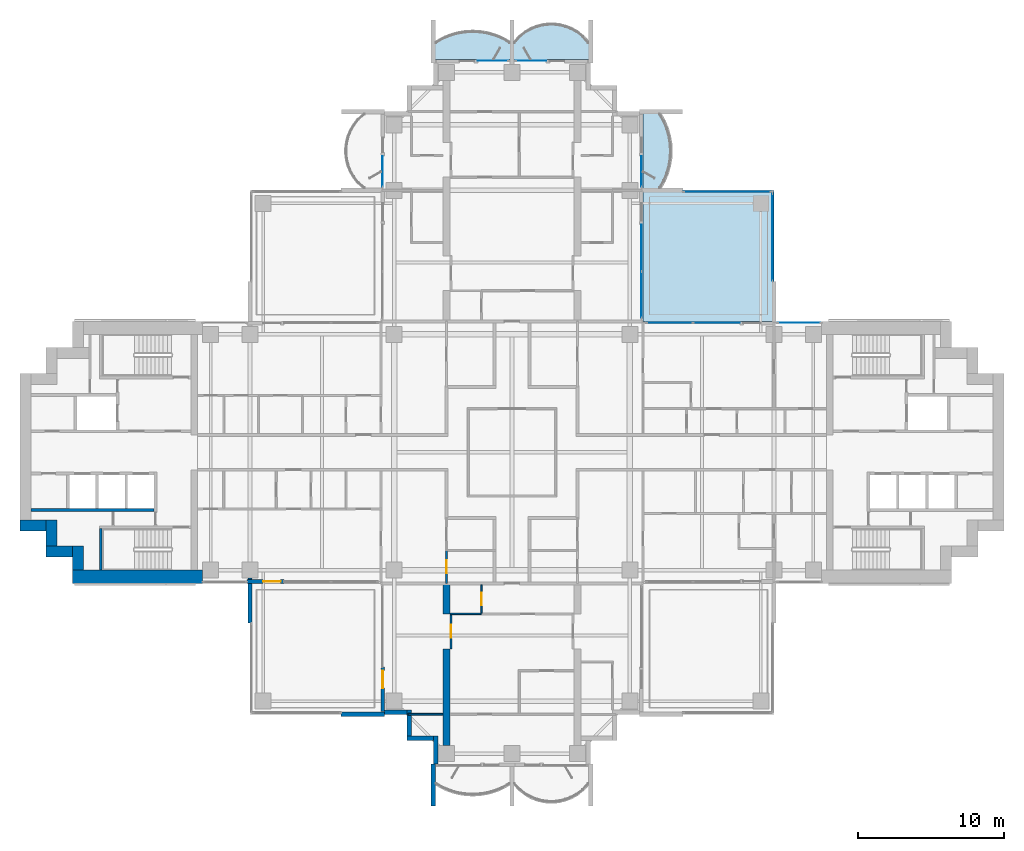
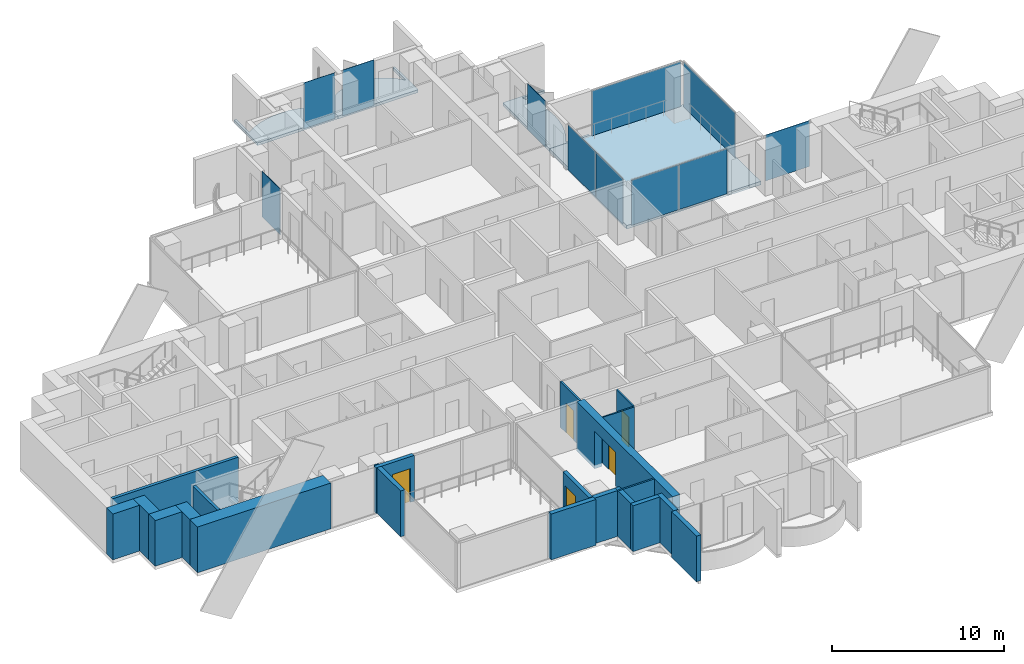
# One storey, part 8 of 19: 22 walls, 11 plates, 5 doors, 4 slabs, 5 openings, 9 elements without a shape of their own.
"""IFC4 building model written with IfcOpenShell, lengths in metres."""

import ifcopenshell
import ifcopenshell.guid

model = None  # the IFC model being written
_history = None  # IfcOwnerHistory: only IFC2X3 demands one
_inside = {}  # id of a spatial element -> (the spatial element, [elements in it])
_under = {}  # id of a project, library or spatial element -> (it, [spatial elements below it])
_declared = {}  # id of a project -> (the project, [libraries it declares])
_typed = {}  # id of a type object -> (the type object, [elements of that type])
_made_of = {}  # id of a material, layer set ... -> (it, [elements and type objects made of it])


def new_model(schema):
    """Start an empty IFC model of exactly this schema.

    Asked for "IFC4X3", IfcOpenShell would pick the latest addendum, in which some entities
    have other attributes; the version numbers below select the first issue.
    IFC2X3 requires an IfcOwnerHistory on every rooted entity: one is made here for all.
    """
    global model, _history
    if schema == "IFC4X3":
        model = ifcopenshell.file(schema_version=(4, 3, 0, 0))
    else:
        model = ifcopenshell.file(schema=schema)
    _inside.clear()
    _under.clear()
    _declared.clear()
    _typed.clear()
    _made_of.clear()
    _history = None
    if model.schema == "IFC2X3":
        org = make("IfcOrganization", Name="unknown")
        user = make(
            "IfcPersonAndOrganization",
            ThePerson=make("IfcPerson", FamilyName="unknown"),
            TheOrganization=org,
        )
        app = make(
            "IfcApplication",
            ApplicationDeveloper=org,
            Version="unknown",
            ApplicationFullName="unknown",
            ApplicationIdentifier="unknown",
        )
        _history = make(
            "IfcOwnerHistory",
            OwningUser=user,
            OwningApplication=app,
            ChangeAction="ADDED",
            CreationDate=0,
        )
    return model


def make(cls, **values):
    """One entity of the class cls with the attributes given. An attribute that is None is left unset."""
    return model.create_entity(
        cls, **{name: value for name, value in values.items() if value is not None}
    )


def rooted(cls, **values):
    """An entity with a GlobalId (a new one), such as an element, a storey or a relation."""
    return make(cls, GlobalId=ifcopenshell.guid.new(), OwnerHistory=_history, **values)


def si_unit(unit_type, name, prefix=None):
    """IfcSIUnit, for example si_unit("LENGTHUNIT", "METRE", prefix="MILLI")."""
    return make("IfcSIUnit", UnitType=unit_type, Prefix=prefix, Name=name)


def assignment(units):
    """IfcUnitAssignment: the units of a project."""
    return None if units is None else make("IfcUnitAssignment", Units=units)


def point(xyz):
    """IfcCartesianPoint."""
    return None if xyz is None else make("IfcCartesianPoint", Coordinates=xyz)


def direction(xyz):
    """IfcDirection."""
    return None if xyz is None else make("IfcDirection", DirectionRatios=xyz)


def frame(location, z_axis=None, x_axis=None):
    """IfcAxis2Placement3D, a coordinate frame: its origin and axes. An axis left out is left unset."""
    return make(
        "IfcAxis2Placement3D",
        Location=point(location),
        Axis=direction(z_axis),
        RefDirection=direction(x_axis),
    )


def frame_2d(location, x_axis=None):
    """IfcAxis2Placement2D, a coordinate frame in the plane: its origin and x axis."""
    return make(
        "IfcAxis2Placement2D", Location=point(location), RefDirection=direction(x_axis)
    )


def origin():
    """The frame at (0, 0, 0) with its axes left unset."""
    return frame((0.0, 0.0, 0.0))


def origin_2d():
    """The frame at (0, 0) in the plane with its x axis left unset."""
    return frame_2d((0.0, 0.0))


def place(relative_to, where):
    """IfcLocalPlacement: puts the frame where relative to a parent placement (None: the world)."""
    return make(
        "IfcLocalPlacement", PlacementRelTo=relative_to, RelativePlacement=where
    )


def context(
    kind, dimensions, precision=None, world=None, true_north=None, identifier=None
):
    """IfcGeometricRepresentationContext, for example the 3D "Model" context."""
    return make(
        "IfcGeometricRepresentationContext",
        ContextIdentifier=identifier,
        ContextType=kind,
        CoordinateSpaceDimension=dimensions,
        Precision=precision,
        WorldCoordinateSystem=world,
        TrueNorth=true_north,
    )


def subcontext(parent, identifier, kind, view, scale=None):
    """IfcGeometricRepresentationSubContext, for example "Body" below "Model"."""
    return make(
        "IfcGeometricRepresentationSubContext",
        ContextIdentifier=identifier,
        ContextType=kind,
        ParentContext=parent,
        TargetScale=scale,
        TargetView=view,
    )


def project(units=None, contexts=None):
    """IfcProject with its units and contexts."""
    return rooted(
        "IfcProject",
        Name="project",
        RepresentationContexts=contexts,
        UnitsInContext=assignment(units),
    )


def spatial(cls, under=None, at=None, **own):
    """A site, building, storey or space (cls), placed at a placement, below another one or the project."""
    s = rooted(cls, ObjectPlacement=at, **own)
    if under is not None:
        _under.setdefault(under.id(), (under, []))[1].append(s)
    return s


def polyline(points):
    """IfcPolyline through the points."""
    return make("IfcPolyline", Points=[point(p) for p in points])


def profile(cls, at=None, kind="AREA", **sizes):
    """A parametric profile (cls). Its sizes go by their IFC names, for example OverallWidth=200.0."""
    return make(cls, ProfileType=kind, Position=at, **sizes)


def rectangle(**sizes):
    """IfcRectangleProfileDef."""
    return profile("IfcRectangleProfileDef", **sizes)


def outline(outer, holes=None, kind="AREA"):
    """IfcArbitraryClosedProfileDef: a profile drawn as a closed curve; with holes, ...WithVoids."""
    if holes is None:
        return make("IfcArbitraryClosedProfileDef", ProfileType=kind, OuterCurve=outer)
    return make(
        "IfcArbitraryProfileDefWithVoids",
        ProfileType=kind,
        OuterCurve=outer,
        InnerCurves=holes,
    )


def extrude(swept, where, along, depth):
    """IfcExtrudedAreaSolid: the profile swept, set in the frame where, extruded along a direction by depth."""
    return make(
        "IfcExtrudedAreaSolid",
        SweptArea=swept,
        Position=where,
        ExtrudedDirection=direction(along),
        Depth=depth,
    )


def shape(context_of_items, identifier, shape_type, items):
    """IfcShapeRepresentation: the items that make up one representation, for example the "Body"."""
    return make(
        "IfcShapeRepresentation",
        ContextOfItems=context_of_items,
        RepresentationIdentifier=identifier,
        RepresentationType=shape_type,
        Items=items,
    )


def material(Name=None, Category=None):
    """IfcMaterial."""
    return make("IfcMaterial", Name=Name, Category=Category)


def layer(
    of_material, thickness, ventilated=None, Name=None, Category=None, Priority=None
):
    """IfcMaterialLayer: one layer of a wall or slab, of a material (None: an air gap)."""
    return make(
        "IfcMaterialLayer",
        Material=of_material,
        LayerThickness=thickness,
        IsVentilated=ventilated,
        Name=Name,
        Category=Category,
        Priority=Priority,
    )


def layer_set(layers, Name=None):
    """IfcMaterialLayerSet."""
    return make("IfcMaterialLayerSet", MaterialLayers=layers, LayerSetName=Name)


def material_profile(
    of_material, cross_section, Name=None, Category=None, Priority=None
):
    """IfcMaterialProfile: a cross section and its material."""
    return make(
        "IfcMaterialProfile",
        Name=Name,
        Material=of_material,
        Profile=cross_section,
        Priority=Priority,
        Category=Category,
    )


def profile_set(profiles, Name=None, composite=None):
    """IfcMaterialProfileSet."""
    return make(
        "IfcMaterialProfileSet",
        Name=Name,
        MaterialProfiles=profiles,
        CompositeProfile=composite,
    )


def made_of(thing, what):
    """Note that an element or type object is made of a material, layer set ...; save() writes the relation."""
    if what is not None:
        _made_of.setdefault(what.id(), (what, []))[1].append(thing)
    return thing


def type_object(cls, material=None, **own):
    """A type object (cls), such as IfcWallType, which elements share."""
    return made_of(rooted(cls, **own), material)


def element(
    cls,
    number,
    at=None,
    inside=None,
    cuts=None,
    type_object=None,
    material=None,
    context=None,
    identifier="Body",
    shape_type=None,
    held_by="IfcProductDefinitionShape",
    body=None,
    shapes=None,
    **own,
):
    """One element of the class cls, such as IfcWall. Its Tag is "e" and its number.

    at: its placement. inside: the storey or other place that contains it. cuts: it is an
    opening in that element (IfcRelVoidsElement). A single representation is given by context,
    identifier, shape_type and body (its items); several are given by shapes. held_by: the class
    of the entity that holds the representations. save() writes the other relations.
    """
    e = rooted(cls, Tag="e%d" % number, ObjectPlacement=at, **own)
    if body is not None:
        shapes = [shape(context, identifier, shape_type, body)]
    if shapes is not None:
        e.Representation = make(held_by, Representations=shapes)
    if inside is not None:
        _inside.setdefault(inside.id(), (inside, []))[1].append(e)
    if cuts is not None:
        rooted(
            "IfcRelVoidsElement", RelatingBuildingElement=cuts, RelatedOpeningElement=e
        )
    if type_object is not None:
        _typed.setdefault(type_object.id(), (type_object, []))[1].append(e)
    return made_of(e, material)


def fill(opening, filler):
    """IfcRelFillsElement: the door or window that sits in an opening."""
    return rooted(
        "IfcRelFillsElement",
        RelatingOpeningElement=opening,
        RelatedBuildingElement=filler,
    )


def aggregate(whole, parts):
    """IfcRelAggregates: a whole, such as a stair, and the parts it consists of."""
    return rooted("IfcRelAggregates", RelatingObject=whole, RelatedObjects=parts)


def save(model, path):
    """Write the relations noted so far, then the file.

    IfcRelAggregates (storeys below a building ...), IfcRelContainedInSpatialStructure (elements
    in a storey), IfcRelDefinesByType, IfcRelAssociatesMaterial and IfcRelDeclares: one each for
    every whole, place, type object, material and project.
    """
    for whole, parts in _under.values():
        aggregate(whole, parts)
    for where, things in _inside.values():
        rooted(
            "IfcRelContainedInSpatialStructure",
            RelatedElements=things,
            RelatingStructure=where,
        )
    for kind, things in _typed.values():
        rooted("IfcRelDefinesByType", RelatedObjects=things, RelatingType=kind)
    for what, things in _made_of.values():
        rooted("IfcRelAssociatesMaterial", RelatedObjects=things, RelatingMaterial=what)
    for by, libraries in _declared.values():
        rooted("IfcRelDeclares", RelatingContext=by, RelatedDefinitions=libraries)
    model.write(path)


model = new_model("IFC4")

# Units and contexts
model_context = context("Model", 3, precision=1e-05, world=origin(), true_north=direction((0.0, 1.0)))
body_context = subcontext(model_context, "Body", "Model", "MODEL_VIEW")
ifc_project = project(units=[si_unit("LENGTHUNIT", "METRE"), si_unit("AREAUNIT", "SQUARE_METRE"), si_unit("VOLUMEUNIT", "CUBIC_METRE"), si_unit("PLANEANGLEUNIT", "RADIAN"), si_unit("MASSUNIT", "GRAM", prefix="KILO")], contexts=[model_context])

# Site, building, storey
site_placement = place(None, origin())
site = spatial("IfcSite", under=ifc_project, at=site_placement, CompositionType="ELEMENT")
building_placement = place(site_placement, origin())
building = spatial("IfcBuilding", under=site, at=building_placement, Name="Perihelion Cross Residences", CompositionType="ELEMENT")
storey_placement = place(building_placement, frame((0.0, 0.0, 147.89990234375)))
storey = spatial("IfcBuildingStorey", under=building, at=storey_placement, Name="L36", CompositionType="ELEMENT", Elevation=147.89990234375)

# Slabs
ifc_material_1 = material(Name="Concrete C40/50", Category="concrete")
ifc_layer_1 = layer(ifc_material_1, 0.199951171875)
ifc_layer_set_1 = layer_set([ifc_layer_1], Name="Balcony slab 200")
slab_type_1 = type_object("IfcSlabType", Name="Balcony slab 200", PredefinedType="FLOOR", material=ifc_layer_set_1)
slab_1_placement = place(storey_placement, frame((0.0, 0.0, -0.199951171875)))
element("IfcSlab", 1, at=slab_1_placement, inside=storey, type_object=slab_type_1, Name="Slab BK1 L36 north side east bay 2 balcony", PredefinedType="FLOOR", context=body_context, shape_type="SweptSolid", body=[
    extrude(outline(polyline([(9.0, 18.0), (9.0, 23.39990234375), (11.699951171875, 23.39990234375), (11.699951171875, 23.25), (10.199951171875, 23.25), (10.4853515625, 22.739990234375), (10.694580078125, 22.22998046875), (10.838134765625, 21.719970703125), (10.92236328125, 21.2099609375), (10.949951171875, 20.699951171875), (10.92236328125, 20.18994140625), (10.838134765625, 19.679931640625), (10.694580078125, 19.169921875), (10.4853515625, 18.659912109375), (10.199951171875, 18.14990234375), (11.699951171875, 18.14990234375), (11.699951171875, 18.0), (9.0, 18.0)])), origin(), (0.0, 0.0, 1.0), 0.199951171875),
])
slab_2_placement = place(storey_placement, frame((0.0, 0.0, -0.199951171875)))
element("IfcSlab", 2, at=slab_2_placement, inside=storey, type_object=slab_type_1, Name="Slab BK1 L36 north tip north bay 1 balcony", PredefinedType="FLOOR", context=body_context, shape_type="SweptSolid", body=[
    extrude(outline(polyline([(5.39990234375, 27.0), (0.0, 27.0), (0.0, 29.699951171875), (0.14990234375, 29.699951171875), (0.14990234375, 28.199951171875), (0.542236328125, 28.622314453125), (0.9345703125, 28.924072265625), (1.326904296875, 29.143310546875), (1.71923828125, 29.29736328125), (2.111572265625, 29.39599609375), (2.50390625, 29.444091796875), (2.896240234375, 29.444091796875), (3.28857421875, 29.39599609375), (3.6806640625, 29.29736328125), (4.072998046875, 29.143310546875), (4.46533203125, 28.924072265625), (4.857666015625, 28.622314453125), (5.25, 28.199951171875), (5.25, 29.699951171875), (5.39990234375, 29.699951171875), (5.39990234375, 27.0)])), origin(), (0.0, 0.0, 1.0), 0.199951171875),
])
slab_3_placement = place(storey_placement, frame((0.0, 0.0, -0.199951171875)))
element("IfcSlab", 3, at=slab_3_placement, inside=storey, type_object=slab_type_1, Name="Slab BK1 L36 north tip north bay 2 balcony", PredefinedType="FLOOR", context=body_context, shape_type="SweptSolid", body=[
    extrude(outline(polyline([(0.0, 27.0), (-5.39990234375, 27.0), (-5.39990234375, 29.699951171875), (-5.25, 29.699951171875), (-5.25, 28.199951171875), (-4.739990234375, 28.4853515625), (-4.22998046875, 28.694580078125), (-3.719970703125, 28.838134765625), (-3.2099609375, 28.92236328125), (-2.699951171875, 28.949951171875), (-2.18994140625, 28.92236328125), (-1.679931640625, 28.838134765625), (-1.169921875, 28.694580078125), (-0.659912109375, 28.4853515625), (-0.14990234375, 28.199951171875), (-0.14990234375, 29.699951171875), (0.0, 29.699951171875), (0.0, 27.0)])), origin(), (0.0, 0.0, 1.0), 0.199951171875),
])

# Curtain wall, plate
ifc_material_2 = material(Name="Bronze anodised aluminium, tinted glazing", Category="aluminium")
curtain_wall_type_1 = type_object("IfcCurtainWallType", Name="CW1", PredefinedType="NOTDEFINED", material=ifc_material_2)
curtain_wall_1_placement = place(storey_placement, origin())
curtain_wall_1 = element("IfcCurtainWall", 4, at=curtain_wall_1_placement, inside=storey, type_object=curtain_wall_type_1, Name="Curtain wall CW1 L36 east side north bay 1", PredefinedType="NOTDEFINED")
ifc_material_3 = material(Name="Tinted laminated glass", Category="glass")
ifc_layer_2 = layer(ifc_material_3, 0.028076171875)
ifc_layer_set_2 = layer_set([ifc_layer_2], Name="CW1 panel")
plate_type_1 = type_object("IfcPlateType", Name="CW1 panel", PredefinedType="CURTAIN_PANEL", material=ifc_layer_set_2)
plate_1_placement = place(storey_placement, frame((19.72509765625, 8.89990234375, 0.0), z_axis=(0.0, 0.0, 1.0), x_axis=(-1.0, 0.0, 0.0)))
plate_1 = element("IfcPlate", 5, at=plate_1_placement, type_object=plate_type_1, Name="CW1 panel 1", PredefinedType="CURTAIN_PANEL", context=body_context, shape_type="SweptSolid", body=[
    extrude(rectangle(XDim=2.929931640625, YDim=0.028076171875, at=origin_2d()), origin(), (0.0, 0.0, 1.0), 3.25),
])
aggregate(curtain_wall_1, [plate_1])

# Curtain wall, plates
curtain_wall_2_placement = place(storey_placement, origin())
curtain_wall_2 = element("IfcCurtainWall", 6, at=curtain_wall_2_placement, inside=storey, type_object=curtain_wall_type_1, Name="Curtain wall CW1 L36 east side north bay 2", PredefinedType="NOTDEFINED")
plate_2_placement = place(storey_placement, frame((14.052490234375, 8.89990234375, 0.000244140625), z_axis=(0.0, 0.0, 1.0), x_axis=(-1.0, 0.0, 0.0)))
plate_2 = element("IfcPlate", 7, at=plate_2_placement, type_object=plate_type_1, Name="CW1 panel 1", PredefinedType="CURTAIN_PANEL", context=body_context, shape_type="SweptSolid", body=[
    extrude(rectangle(XDim=3.195068359375, YDim=0.028076171875, at=origin_2d()), origin(), (0.0, 0.0, 1.0), 3.18994140625),
])
plate_3_placement = place(storey_placement, frame((10.827392578125, 8.89990234375, 0.000244140625), z_axis=(0.0, 0.0, 1.0), x_axis=(-1.0, 0.0, 0.0)))
plate_3 = element("IfcPlate", 8, at=plate_3_placement, type_object=plate_type_1, Name="CW1 panel 2", PredefinedType="CURTAIN_PANEL", context=body_context, shape_type="SweptSolid", body=[
    extrude(rectangle(XDim=3.135009765625, YDim=0.028076171875, at=origin_2d()), origin(), (0.0, 0.0, 1.0), 3.18994140625),
])
aggregate(curtain_wall_2, [plate_2, plate_3])

curtain_wall_3_placement = place(storey_placement, origin())
curtain_wall_3 = element("IfcCurtainWall", 9, at=curtain_wall_3_placement, inside=storey, type_object=curtain_wall_type_1, Name="Curtain wall CW1 L36 north side east bay 1", PredefinedType="NOTDEFINED")
plate_4_placement = place(storey_placement, frame((8.89990234375, 10.827392578125, 0.000244140625), z_axis=(0.0, 0.0, 1.0), x_axis=(0.0, 1.0, 0.0)))
plate_4 = element("IfcPlate", 10, at=plate_4_placement, type_object=plate_type_1, Name="CW1 panel 1", PredefinedType="CURTAIN_PANEL", context=body_context, shape_type="SweptSolid", body=[
    extrude(rectangle(XDim=3.135009765625, YDim=0.028076171875, at=origin_2d()), origin(), (0.0, 0.0, 1.0), 3.18994140625),
])
plate_5_placement = place(storey_placement, frame((8.89990234375, 14.052490234375, 0.000244140625), z_axis=(0.0, 0.0, 1.0), x_axis=(0.0, 1.0, 0.0)))
plate_5 = element("IfcPlate", 11, at=plate_5_placement, type_object=plate_type_1, Name="CW1 panel 2", PredefinedType="CURTAIN_PANEL", context=body_context, shape_type="SweptSolid", body=[
    extrude(rectangle(XDim=3.195068359375, YDim=0.028076171875, at=origin_2d()), origin(), (0.0, 0.0, 1.0), 3.18994140625),
])
aggregate(curtain_wall_3, [plate_4, plate_5])

# Curtain wall, plate
curtain_wall_4_placement = place(storey_placement, origin())
curtain_wall_4 = element("IfcCurtainWall", 12, at=curtain_wall_4_placement, inside=storey, type_object=curtain_wall_type_1, Name="Curtain wall CW1 L36 north side east bay 2", PredefinedType="NOTDEFINED")
plate_6_placement = place(storey_placement, frame((8.89990234375, 19.304931640625, 0.0), z_axis=(0.0, 0.0, 1.0), x_axis=(0.0, 1.0, 0.0)))
plate_6 = element("IfcPlate", 13, at=plate_6_placement, type_object=plate_type_1, Name="CW1 panel 1", PredefinedType="CURTAIN_PANEL", context=body_context, shape_type="SweptSolid", body=[
    extrude(rectangle(XDim=2.090087890625, YDim=0.028076171875, at=origin_2d()), origin(), (0.0, 0.0, 1.0), 3.25),
])
aggregate(curtain_wall_4, [plate_6])

curtain_wall_5_placement = place(storey_placement, origin())
curtain_wall_5 = element("IfcCurtainWall", 14, at=curtain_wall_5_placement, inside=storey, type_object=curtain_wall_type_1, Name="Curtain wall CW1 L36 north tip north bay 1", PredefinedType="NOTDEFINED")
plate_7_placement = place(storey_placement, frame((1.304931640625, 26.89990234375, 0.0), z_axis=(0.0, 0.0, 1.0), x_axis=(-1.0, 0.0, 0.0)))
plate_7 = element("IfcPlate", 15, at=plate_7_placement, type_object=plate_type_1, Name="CW1 panel 1", PredefinedType="CURTAIN_PANEL", context=body_context, shape_type="SweptSolid", body=[
    extrude(rectangle(XDim=2.090087890625, YDim=0.028076171875, at=origin_2d()), origin(), (0.0, 0.0, 1.0), 3.25),
])
aggregate(curtain_wall_5, [plate_7])

curtain_wall_6_placement = place(storey_placement, origin())
curtain_wall_6 = element("IfcCurtainWall", 16, at=curtain_wall_6_placement, inside=storey, type_object=curtain_wall_type_1, Name="Curtain wall CW1 L36 north tip north bay 2", PredefinedType="NOTDEFINED")
plate_8_placement = place(storey_placement, frame((-1.304931640625, 26.89990234375, 0.0), z_axis=(0.0, 0.0, 1.0), x_axis=(-1.0, 0.0, 0.0)))
plate_8 = element("IfcPlate", 17, at=plate_8_placement, type_object=plate_type_1, Name="CW1 panel 1", PredefinedType="CURTAIN_PANEL", context=body_context, shape_type="SweptSolid", body=[
    extrude(rectangle(XDim=2.090087890625, YDim=0.028076171875, at=origin_2d()), origin(), (0.0, 0.0, 1.0), 3.25),
])
aggregate(curtain_wall_6, [plate_8])

curtain_wall_7_placement = place(storey_placement, origin())
curtain_wall_7 = element("IfcCurtainWall", 18, at=curtain_wall_7_placement, inside=storey, type_object=curtain_wall_type_1, Name="Curtain wall CW1 L36 north side west bay 1", PredefinedType="NOTDEFINED")
plate_9_placement = place(storey_placement, frame((-8.89990234375, 19.304931640625, 0.0), z_axis=(0.0, 0.0, 1.0), x_axis=(0.0, -1.0, 0.0)))
plate_9 = element("IfcPlate", 19, at=plate_9_placement, type_object=plate_type_1, Name="CW1 panel 1", PredefinedType="CURTAIN_PANEL", context=body_context, shape_type="SweptSolid", body=[
    extrude(rectangle(XDim=2.090087890625, YDim=0.028076171875, at=origin_2d()), origin(), (0.0, 0.0, 1.0), 3.25),
])
aggregate(curtain_wall_7, [plate_9])

ifc_material_4 = material(Name="Bronze anodised aluminium, tinted glazing", Category="aluminium")
curtain_wall_type_2 = type_object("IfcCurtainWallType", Name="CW4", PredefinedType="NOTDEFINED", material=ifc_material_4)
curtain_wall_8_placement = place(storey_placement, origin())
curtain_wall_8 = element("IfcCurtainWall", 20, at=curtain_wall_8_placement, inside=storey, type_object=curtain_wall_type_2, Name="Curtain wall CW4 L36 pocket north-east 1 1", PredefinedType="NOTDEFINED")
ifc_material_5 = material(Name="Tinted laminated glass", Category="glass")
ifc_layer_3 = layer(ifc_material_5, 0.030029296875)
ifc_layer_set_3 = layer_set([ifc_layer_3], Name="CW4 panel")
plate_type_2 = type_object("IfcPlateType", Name="CW4 panel", PredefinedType="CURTAIN_PANEL", material=ifc_layer_set_3)
plate_10_placement = place(storey_placement, frame((14.784912109375, 17.89990234375, 0.000244140625), z_axis=(0.0, 0.0, 1.0), x_axis=(1.0, 0.0, 0.0)))
plate_10 = element("IfcPlate", 21, at=plate_10_placement, type_object=plate_type_2, Name="CW4 panel 1", PredefinedType="CURTAIN_PANEL", context=body_context, shape_type="SweptSolid", body=[
    extrude(rectangle(XDim=5.969970703125, YDim=0.030029296875, at=origin_2d()), origin(), (0.0, 0.0, 1.0), 3.18994140625),
])
aggregate(curtain_wall_8, [plate_10])

curtain_wall_9_placement = place(storey_placement, origin())
curtain_wall_9 = element("IfcCurtainWall", 22, at=curtain_wall_9_placement, inside=storey, type_object=curtain_wall_type_2, Name="Curtain wall CW4 L36 pocket north-east 1 2", PredefinedType="NOTDEFINED")
plate_11_placement = place(storey_placement, frame((17.89990234375, 14.784912109375, 0.000244140625), z_axis=(0.0, 0.0, 1.0), x_axis=(0.0, -1.0, 0.0)))
plate_11 = element("IfcPlate", 23, at=plate_11_placement, type_object=plate_type_2, Name="CW4 panel 1", PredefinedType="CURTAIN_PANEL", context=body_context, shape_type="SweptSolid", body=[
    extrude(rectangle(XDim=5.969970703125, YDim=0.030029296875, at=origin_2d()), origin(), (0.0, 0.0, 1.0), 3.18994140625),
])
aggregate(curtain_wall_9, [plate_11])

# Slab
ifc_material_6 = material(Name="Concrete C40/50", Category="concrete")
ifc_layer_4 = layer(ifc_material_6, 0.25)
ifc_layer_set_4 = layer_set([ifc_layer_4], Name="Winter garden slab")
slab_type_2 = type_object("IfcSlabType", Name="Winter garden slab", PredefinedType="FLOOR", material=ifc_layer_set_4)
slab_4_placement = place(storey_placement, frame((0.0, 0.0, -0.25)))
element("IfcSlab", 24, at=slab_4_placement, inside=storey, type_object=slab_type_2, Name="Slab BK3 L36 pocket north-east", PredefinedType="FLOOR", context=body_context, shape_type="SweptSolid", body=[
    extrude(outline(polyline([(18.0, 9.0), (18.0, 18.0), (9.0, 18.0), (9.0, 9.0), (18.0, 9.0)])), origin(), (0.0, 0.0, 1.0), 0.25),
])

# Wall, opening, door
ifc_material_7 = material(Name="Concrete C30/37, bronze-clad", Category="concrete")
ifc_layer_5 = layer(ifc_material_7, 0.25)
ifc_layer_set_5 = layer_set([ifc_layer_5], Name="Bronze-clad pier wall 250")
wall_type_1 = type_object("IfcWallType", Name="Bronze-clad pier wall 250", PredefinedType="SOLIDWALL", material=ifc_layer_set_5)
wall_1_placement = place(storey_placement, frame((-18.199951171875, -8.875, 0.0), z_axis=(0.0, 0.0, 1.0), x_axis=(1.0, 0.0, 0.0)))
wall_1 = element("IfcWall", 25, at=wall_1_placement, inside=storey, type_object=wall_type_1, Name="Wall FW1 L36 west side south bay 2 pier", PredefinedType="SOLIDWALL", context=body_context, shape_type="SweptSolid", body=[
    extrude(rectangle(XDim=2.550048828125, YDim=0.25, at=frame_2d((1.27490234375, 0.0))), origin(), (0.0, 0.0, 1.0), 3.25),
])
opening_1_placement = place(wall_1_placement, frame((1.10009765625, 0.0, 0.0)))
opening_1 = element("IfcOpeningElement", 26, at=opening_1_placement, cuts=wall_1, Name="Opening L36.E09", PredefinedType="OPENING", context=body_context, shape_type="SweptSolid", body=[
    extrude(rectangle(XDim=1.199951171875, YDim=2.39990234375, at=frame_2d((0.60009765625, 1.199951171875))), frame((0.0, 0.135009765625, 0.0), z_axis=(0.0, -1.0, 0.0), x_axis=(1.0, 0.0, 0.0)), (0.0, 0.0, 1.0), 0.27001953125),
])
ifc_material_8 = material(Name="Bronze anodised aluminium, glazed", Category="aluminium")
door_type_1 = type_object("IfcDoorType", Name="Balcony door 1200 x 2400", OperationType="NOTDEFINED", PredefinedType="DOOR", material=ifc_material_8)
door_1_placement = place(opening_1_placement, origin())
door_1 = element("IfcDoor", 27, at=door_1_placement, inside=storey, type_object=door_type_1, Name="Door L36.E09 west side south bay 2", OperationType="SINGLE_SWING_RIGHT", OverallHeight=2.39990234375, OverallWidth=1.199951171875, PredefinedType="DOOR", context=body_context, shape_type="SweptSolid", body=[
    extrude(rectangle(XDim=1.199951171875, YDim=2.39990234375, at=frame_2d((0.60009765625, 1.199951171875))), frame((0.0, 0.02490234375, 0.0), z_axis=(0.0, -1.0, 0.0), x_axis=(1.0, 0.0, 0.0)), (0.0, 0.0, 1.0), 0.050048828125),
])
fill(opening_1, door_1)

wall_2_placement = place(storey_placement, frame((-8.875, -14.75, 0.0), z_axis=(0.0, 0.0, 1.0), x_axis=(0.0, -1.0, 0.0)))
wall_2 = element("IfcWall", 28, at=wall_2_placement, inside=storey, type_object=wall_type_1, Name="Wall FW1 L36 south side west bay 1 pier", PredefinedType="SOLIDWALL", context=body_context, shape_type="SweptSolid", body=[
    extrude(rectangle(XDim=3.050048828125, YDim=0.25, at=frame_2d((1.52490234375, 0.0))), origin(), (0.0, 0.0, 1.0), 3.25),
])
opening_2_placement = place(wall_2_placement, frame((0.25, 0.0, 0.0)))
opening_2 = element("IfcOpeningElement", 29, at=opening_2_placement, cuts=wall_2, Name="Opening L36.E10", PredefinedType="OPENING", context=body_context, shape_type="SweptSolid", body=[
    extrude(rectangle(XDim=1.199951171875, YDim=2.39990234375, at=frame_2d((0.60009765625, 1.199951171875))), frame((0.0, 0.135009765625, 0.0), z_axis=(0.0, -1.0, 0.0), x_axis=(1.0, 0.0, 0.0)), (0.0, 0.0, 1.0), 0.27001953125),
])
door_2_placement = place(opening_2_placement, origin())
door_2 = element("IfcDoor", 30, at=door_2_placement, inside=storey, type_object=door_type_1, Name="Door L36.E10 south side west bay 1", OperationType="SINGLE_SWING_LEFT", OverallHeight=2.39990234375, OverallWidth=1.199951171875, PredefinedType="DOOR", context=body_context, shape_type="SweptSolid", body=[
    extrude(rectangle(XDim=1.199951171875, YDim=2.39990234375, at=frame_2d((0.60009765625, 1.199951171875))), frame((0.0, 0.02490234375, 0.0), z_axis=(0.0, -1.0, 0.0), x_axis=(1.0, 0.0, 0.0)), (0.0, 0.0, 1.0), 0.050048828125),
])
fill(opening_2, door_2)

# Walls
ifc_material_9 = material(Name="Concrete C30/37, bronze-clad", Category="concrete")
ifc_layer_6 = layer(ifc_material_9, 0.300048828125)
ifc_layer_set_6 = layer_set([ifc_layer_6], Name="Bronze-clad serration wall 300")
wall_type_2 = type_object("IfcWallType", Name="Bronze-clad serration wall 300", PredefinedType="SOLIDWALL", material=ifc_layer_set_6)
wall_3_placement = place(storey_placement, frame((-8.75, -17.85009765625, 0.0), z_axis=(0.0, 0.0, 1.0), x_axis=(1.0, 0.0, 0.0)))
element("IfcWall", 31, at=wall_3_placement, inside=storey, type_object=wall_type_2, Name="Wall SR1 L36 south corner south-west 1", PredefinedType="SOLIDWALL", context=body_context, shape_type="SweptSolid", body=[
    extrude(rectangle(XDim=1.550048828125, YDim=0.300048828125, at=frame_2d((0.77490234375, 0.0))), origin(), (0.0, 0.0, 1.0), 3.25),
])
for number, where, z_axis, x_axis, name in (
    (32, (-7.050048828125, -17.699951171875, 0.0), (0.0, 0.0, 1.0), (0.0, -1.0, 0.0), "Wall SR1 L36 south corner south-west 2"),
    (33, (-7.199951171875, -19.64990234375, 0.0), (0.0, 0.0, 1.0), (1.0, 0.0, 0.0), "Wall SR1 L36 south corner south-west 3"),
):
    element("IfcWall", number, at=place(storey_placement, frame(where, z_axis=z_axis, x_axis=x_axis)), inside=storey, type_object=wall_type_2, Name=name, PredefinedType="SOLIDWALL", context=body_context, shape_type="SweptSolid", body=[
        extrude(rectangle(XDim=1.800048828125, YDim=0.300048828125, at=frame_2d((0.89990234375, 0.0))), origin(), (0.0, 0.0, 1.0), 3.25),
    ])
wall_4_placement = place(storey_placement, frame((-5.25, -19.5, 0.0), z_axis=(0.0, 0.0, 1.0), x_axis=(0.0, -1.0, 0.0)))
element("IfcWall", 34, at=wall_4_placement, inside=storey, type_object=wall_type_2, Name="Wall SR1 L36 south corner south-west 4", PredefinedType="SOLIDWALL", context=body_context, shape_type="SweptSolid", body=[
    extrude(rectangle(XDim=1.919921875, YDim=0.300048828125, at=frame_2d((0.9599609375, 0.0))), origin(), (0.0, 0.0, 1.0), 3.25),
])
ifc_material_10 = material(Name="Concrete C60/75", Category="concrete")
ifc_layer_7 = layer(ifc_material_10, 0.75)
ifc_layer_set_7 = layer_set([ifc_layer_7], Name="Core wall, outer 750")
wall_type_3 = type_object("IfcWallType", Name="Core wall, outer 750", PredefinedType="SHEAR", material=ifc_layer_set_7)
wall_5_placement = place(storey_placement, frame((-29.824951171875, -8.10009765625, 0.0), z_axis=(0.0, 0.0, 1.0), x_axis=(0.0, 1.0, 0.0)))
element("IfcWall", 35, at=wall_5_placement, inside=storey, type_object=wall_type_3, Name="West core core wall, outer", PredefinedType="SHEAR", context=body_context, shape_type="SweptSolid", body=[
    extrude(rectangle(XDim=1.650146484375, YDim=0.75, at=frame_2d((0.8251953125, 0.0))), origin(), (0.0, 0.0, 1.0), 3.25),
])
for number, where, z_axis, x_axis, name in (
    (36, (-32.0, -6.824951171875, 0.0), (0.0, 0.0, 1.0), (1.0, 0.0, 0.0), "West core core wall, outer"),
    (37, (-31.625, -6.449951171875, 0.0), (0.0, 0.0, 1.0), (0.0, 1.0, 0.0), "West core core wall, outer"),
    (38, (-33.800048828125, -5.02490234375, 0.0), (0.0, 0.0, 1.0), (1.0, 0.0, 0.0), "West core core wall, outer"),
):
    element("IfcWall", number, at=place(storey_placement, frame(where, z_axis=z_axis, x_axis=x_axis)), inside=storey, type_object=wall_type_3, Name=name, PredefinedType="SHEAR", context=body_context, shape_type="SweptSolid", body=[
        extrude(rectangle(XDim=1.800048828125, YDim=0.75, at=frame_2d((0.89990234375, 0.0))), origin(), (0.0, 0.0, 1.0), 3.25),
    ])
ifc_material_11 = material(Name="Concrete C60/75", Category="concrete")
ifc_layer_8 = layer(ifc_material_11, 0.89990234375)
ifc_layer_set_8 = layer_set([ifc_layer_8], Name="Core wall, outer 900")
wall_type_4 = type_object("IfcWallType", Name="Core wall, outer 900", PredefinedType="SHEAR", material=ifc_layer_set_8)
wall_6_placement = place(storey_placement, frame((-30.199951171875, -8.550048828125, 0.0), z_axis=(0.0, 0.0, 1.0), x_axis=(1.0, 0.0, 0.0)))
element("IfcWall", 39, at=wall_6_placement, inside=storey, type_object=wall_type_4, Name="West core core wall, outer", PredefinedType="SHEAR", context=body_context, shape_type="SweptSolid", body=[
    extrude(rectangle(XDim=8.949951171875, YDim=0.89990234375, at=frame_2d((4.47509765625, 0.0))), origin(), (0.0, 0.0, 1.0), 3.25),
])

# Wall, opening, door
ifc_material_12 = material(Name="Plasterboard partition")
ifc_layer_9 = layer(ifc_material_12, 0.1201171875)
ifc_layer_set_9 = layer_set([ifc_layer_9], Name="Infill panel 120")
wall_type_5 = type_object("IfcWallType", Name="Infill panel 120", PredefinedType="PARTITIONING", material=ifc_layer_set_9)
wall_7_placement = place(storey_placement, frame((-4.18994140625, -11.10009765625, 0.0), z_axis=(0.0, 0.0, 1.0), x_axis=(0.0, -1.0, 0.0)))
wall_7 = element("IfcWall", 40, at=wall_7_placement, inside=storey, type_object=wall_type_5, Name="Partition L36 WI06", PredefinedType="PARTITIONING", context=body_context, shape_type="SweptSolid", body=[
    extrude(rectangle(XDim=2.39990234375, YDim=0.1201171875, at=frame_2d((1.199951171875, 0.0))), origin(), (0.0, 0.0, 1.0), 2.400146484375),
])
opening_3_placement = place(wall_7_placement, frame((0.75, 0.0, 0.0)))
opening_3 = element("IfcOpeningElement", 41, at=opening_3_placement, cuts=wall_7, Name="Opening L36.A59", PredefinedType="OPENING", context=body_context, shape_type="SweptSolid", body=[
    extrude(rectangle(XDim=0.89990234375, YDim=2.10009765625, at=frame_2d((0.449951171875, 1.050048828125))), frame((0.0, 0.070068359375, 0.0), z_axis=(0.0, -1.0, 0.0), x_axis=(1.0, 0.0, 0.0)), (0.0, 0.0, 1.0), 0.14013671875),
])
ifc_material_13 = material(Name="Timber door leaf", Category="wood")
door_type_2 = type_object("IfcDoorType", Name="Interior room door 900 x 2100", OperationType="SINGLE_SWING_LEFT", PredefinedType="DOOR", material=ifc_material_13)
door_3_placement = place(opening_3_placement, origin())
door_3 = element("IfcDoor", 42, at=door_3_placement, inside=storey, type_object=door_type_2, Name="Door L36.A59", OperationType="SINGLE_SWING_LEFT", OverallHeight=2.10009765625, OverallWidth=0.89990234375, PredefinedType="DOOR", context=body_context, shape_type="SweptSolid", body=[
    extrude(rectangle(XDim=0.89990234375, YDim=2.10009765625, at=frame_2d((0.449951171875, 1.050048828125))), frame((0.0, 0.02490234375, 0.0), z_axis=(0.0, -1.0, 0.0), x_axis=(1.0, 0.0, 0.0)), (0.0, 0.0, 1.0), 0.050048828125),
])
fill(opening_3, door_3)

ifc_material_14 = material(Name="Plasterboard partition")
ifc_layer_10 = layer(ifc_material_14, 0.1201171875)
ifc_layer_set_10 = layer_set([ifc_layer_10], Name="Partition wall 120")
wall_type_6 = type_object("IfcWallType", Name="Partition wall 120", PredefinedType="PARTITIONING", material=ifc_layer_set_10)
wall_8_placement = place(storey_placement, frame((-4.5, -6.75, 0.0), z_axis=(0.0, 0.0, 1.0), x_axis=(0.0, -1.0, 0.0)))
wall_8 = element("IfcWall", 43, at=wall_8_placement, inside=storey, type_object=wall_type_6, Name="Partition L36 W065", PredefinedType="PARTITIONING", context=body_context, shape_type="SweptSolid", body=[
    extrude(rectangle(XDim=2.25, YDim=0.1201171875, at=frame_2d((1.125, 0.0))), origin(), (0.0, 0.0, 1.0), 3.25),
])
opening_4_placement = place(wall_8_placement, frame((0.675048828125, 0.0, 0.0)))
opening_4 = element("IfcOpeningElement", 44, at=opening_4_placement, cuts=wall_8, Name="Opening L36.A31", PredefinedType="OPENING", context=body_context, shape_type="SweptSolid", body=[
    extrude(rectangle(XDim=0.89990234375, YDim=2.10009765625, at=frame_2d((0.449951171875, 1.050048828125))), frame((0.0, 0.070068359375, 0.0), z_axis=(0.0, -1.0, 0.0), x_axis=(1.0, 0.0, 0.0)), (0.0, 0.0, 1.0), 0.14013671875),
])
door_4_placement = place(opening_4_placement, origin())
door_4 = element("IfcDoor", 45, at=door_4_placement, inside=storey, type_object=door_type_2, Name="Door L36.A31", OperationType="SINGLE_SWING_LEFT", OverallHeight=2.10009765625, OverallWidth=0.89990234375, PredefinedType="DOOR", context=body_context, shape_type="SweptSolid", body=[
    extrude(rectangle(XDim=0.89990234375, YDim=2.10009765625, at=frame_2d((0.449951171875, 1.050048828125))), frame((0.0, 0.02490234375, 0.0), z_axis=(0.0, -1.0, 0.0), x_axis=(1.0, 0.0, 0.0)), (0.0, 0.0, 1.0), 0.050048828125),
])
fill(opening_4, door_4)

# Walls
wall_9_placement = place(storey_placement, frame((-4.75, -18.0, 0.0), z_axis=(0.0, 0.0, 1.0), x_axis=(-1.0, 0.0, 0.0)))
element("IfcWall", 46, at=wall_9_placement, inside=storey, type_object=wall_type_6, Name="Partition L36 W096", PredefinedType="PARTITIONING", context=body_context, shape_type="SweptSolid", body=[
    extrude(rectangle(XDim=2.3701171875, YDim=0.1201171875, at=frame_2d((1.18505859375, 0.0))), origin(), (0.0, 0.0, 1.0), 3.25),
])
ifc_material_15 = material(Name="Precast concrete C50/60", Category="concrete")
ifc_layer_11 = layer(ifc_material_15, 0.300048828125)
ifc_layer_set_11 = layer_set([ifc_layer_11], Name="Precast concrete C50/60 blade wall 300")
wall_type_7 = type_object("IfcWallType", Name="Precast concrete C50/60 blade wall 300", PredefinedType="SOLIDWALL", material=ifc_layer_set_11)
wall_10_placement = place(storey_placement, frame((-18.0, -8.64990234375, 0.0), z_axis=(0.0, 0.0, 1.0), x_axis=(0.0, -1.0, 0.0)))
element("IfcWall", 47, at=wall_10_placement, inside=storey, type_object=wall_type_7, Name="Wall BL1 L36 no. 1", PredefinedType="SOLIDWALL", context=body_context, shape_type="SweptSolid", body=[
    extrude(rectangle(XDim=3.090087890625, YDim=0.300048828125, at=frame_2d((1.544921875, 0.0))), origin(), (0.0, 0.0, 1.0), 3.25),
])
wall_11_placement = place(storey_placement, frame((-8.75, -18.0, 0.0), z_axis=(0.0, 0.0, 1.0), x_axis=(-1.0, 0.0, 0.0)))
element("IfcWall", 48, at=wall_11_placement, inside=storey, type_object=wall_type_7, Name="Wall BL1 L36 no. 5", PredefinedType="SOLIDWALL", context=body_context, shape_type="SweptSolid", body=[
    extrude(rectangle(XDim=2.989990234375, YDim=0.300048828125, at=frame_2d((1.4951171875, 0.0))), origin(), (0.0, 0.0, 1.0), 3.25),
])
wall_12_placement = place(storey_placement, frame((-5.39990234375, -21.419921875, 0.0), z_axis=(0.0, 0.0, 1.0), x_axis=(0.0, -1.0, 0.0)))
element("IfcWall", 49, at=wall_12_placement, inside=storey, type_object=wall_type_7, Name="Wall BL1 L36 no. 3", PredefinedType="SOLIDWALL", context=body_context, shape_type="SweptSolid", body=[
    extrude(rectangle(XDim=2.880126953125, YDim=0.300048828125, at=frame_2d((1.43994140625, 0.0))), origin(), (0.0, 0.0, 1.0), 3.25),
])
ifc_material_16 = material(Name="Concrete C50/60", Category="concrete")
ifc_layer_12 = layer(ifc_material_16, 0.199951171875)
ifc_layer_set_12 = layer_set([ifc_layer_12], Name="Shaft wall 200")
wall_type_8 = type_object("IfcWallType", Name="Shaft wall 200", PredefinedType="SOLIDWALL", material=ifc_layer_set_12)
wall_13_placement = place(storey_placement, frame((-33.050048828125, -3.949951171875, 0.0), z_axis=(0.0, 0.0, 1.0), x_axis=(1.0, 0.0, 0.0)))
element("IfcWall", 50, at=wall_13_placement, inside=storey, type_object=wall_type_8, Name="West core shaft wall", PredefinedType="SOLIDWALL", context=body_context, shape_type="SweptSolid", body=[
    extrude(rectangle(XDim=8.449951171875, YDim=0.199951171875, at=frame_2d((4.22509765625, 0.0))), origin(), (0.0, 0.0, 1.0), 3.25),
])
ifc_material_17 = material(Name="Concrete C50/60", Category="concrete")
ifc_layer_13 = layer(ifc_material_17, 0.199951171875)
ifc_layer_set_13 = layer_set([ifc_layer_13], Name="Stair wall 200")
wall_type_9 = type_object("IfcWallType", Name="Stair wall 200", PredefinedType="SOLIDWALL", material=ifc_layer_set_13)
wall_14_placement = place(storey_placement, frame((-28.25, -8.10009765625, 0.0), z_axis=(0.0, 0.0, 1.0), x_axis=(0.0, 1.0, 0.0)))
element("IfcWall", 51, at=wall_14_placement, inside=storey, type_object=wall_type_9, Name="West core stair wall", PredefinedType="SOLIDWALL", context=body_context, shape_type="SweptSolid", body=[
    extrude(rectangle(XDim=2.85009765625, YDim=0.199951171875, at=frame_2d((1.425048828125, 0.0))), origin(), (0.0, 0.0, 1.0), 3.25),
])
ifc_material_18 = material(Name="Concrete C60/75", Category="concrete")
ifc_material_profile = material_profile(ifc_material_18, outline(polyline([(0.0, 0.0), (6.64990234375, 0.0), (6.64990234375, 2.64990234375), (9.050048828125, 2.64990234375), (9.050048828125, 0.0), (11.14990234375, 0.0), (11.14990234375, 3.5), (0.0, 3.5), (0.0, 0.0)])), Name="Tip spine wall")
ifc_profile_set = profile_set([ifc_material_profile], Name="Concrete C60/75")
wall_type_10 = type_object("IfcWallType", Name="Tip spine wall 500 with 1 door openings 11150 long 3500 high concrete C60/75", PredefinedType="SHEAR", material=ifc_profile_set)
wall_15_placement = place(storey_placement, frame((-4.75, -20.14990234375, -0.25), z_axis=(1.0, 0.0, 0.0), x_axis=(0.0, 1.0, 0.0)))
element("IfcWall", 52, at=wall_15_placement, inside=storey, type_object=wall_type_10, Name="Shear wall SW33 L36 south west", PredefinedType="SHEAR", context=body_context, shape_type="SweptSolid", body=[
    extrude(outline(polyline([(0.0, 0.0), (6.64990234375, 0.0), (6.64990234375, 2.64990234375), (9.050048828125, 2.64990234375), (9.050048828125, 0.0), (11.14990234375, 0.0), (11.14990234375, 3.5), (0.0, 3.5), (0.0, 0.0)])), origin(), (0.0, 0.0, 1.0), 0.5),
])

# Wall, opening, door
ifc_material_19 = material(Name="Plasterboard partition")
ifc_layer_14 = layer(ifc_material_19, 0.10009765625)
ifc_layer_set_14 = layer_set([ifc_layer_14], Name="Wet room wall 100")
wall_type_11 = type_object("IfcWallType", Name="Wet room wall 100", PredefinedType="PARTITIONING", material=ifc_layer_set_14)
wall_16_placement = place(storey_placement, frame((-2.10009765625, -11.0400390625, 0.0), z_axis=(0.0, 0.0, 1.0), x_axis=(0.0, 1.0, 0.0)))
wall_16 = element("IfcWall", 53, at=wall_16_placement, inside=storey, type_object=wall_type_11, Name="Partition L36 W087", PredefinedType="PARTITIONING", context=body_context, shape_type="SweptSolid", body=[
    extrude(rectangle(XDim=1.93994140625, YDim=0.10009765625, at=frame_2d((0.969970703125, 0.0))), origin(), (0.0, 0.0, 1.0), 3.25),
])
opening_5_placement = place(wall_16_placement, frame((0.544921875, 0.0, 0.0)))
opening_5 = element("IfcOpeningElement", 54, at=opening_5_placement, cuts=wall_16, Name="Opening L36.A45", PredefinedType="OPENING", context=body_context, shape_type="SweptSolid", body=[
    extrude(rectangle(XDim=0.85009765625, YDim=2.10009765625, at=frame_2d((0.425048828125, 1.050048828125))), frame((0.0, 0.06005859375, 0.0), z_axis=(0.0, -1.0, 0.0), x_axis=(1.0, 0.0, 0.0)), (0.0, 0.0, 1.0), 0.1201171875),
])
ifc_material_20 = material(Name="Timber door leaf", Category="wood")
door_type_3 = type_object("IfcDoorType", Name="Interior bathroom door 850 x 2100", OperationType="SINGLE_SWING_LEFT", PredefinedType="DOOR", material=ifc_material_20)
door_5_placement = place(opening_5_placement, origin())
door_5 = element("IfcDoor", 55, at=door_5_placement, inside=storey, type_object=door_type_3, Name="Door L36.A45", OperationType="SINGLE_SWING_LEFT", OverallHeight=2.10009765625, OverallWidth=0.85009765625, PredefinedType="DOOR", context=body_context, shape_type="SweptSolid", body=[
    extrude(rectangle(XDim=0.85009765625, YDim=2.10009765625, at=frame_2d((0.425048828125, 1.050048828125))), frame((0.0, 0.02490234375, 0.0), z_axis=(0.0, -1.0, 0.0), x_axis=(1.0, 0.0, 0.0)), (0.0, 0.0, 1.0), 0.050048828125),
])
fill(opening_5, door_5)

# Wall
wall_17_placement = place(storey_placement, frame((-2.10009765625, -11.10009765625, 0.0), z_axis=(0.0, 0.0, 1.0), x_axis=(-1.0, 0.0, 0.0)))
element("IfcWall", 56, at=wall_17_placement, inside=storey, type_object=wall_type_11, Name="Partition L36 W089", PredefinedType="PARTITIONING", context=body_context, shape_type="SweptSolid", body=[
    extrude(rectangle(XDim=2.14990234375, YDim=0.10009765625, at=frame_2d((1.074951171875, 0.0))), origin(), (0.0, 0.0, 1.0), 3.25),
])

save(model, "model.ifc")
